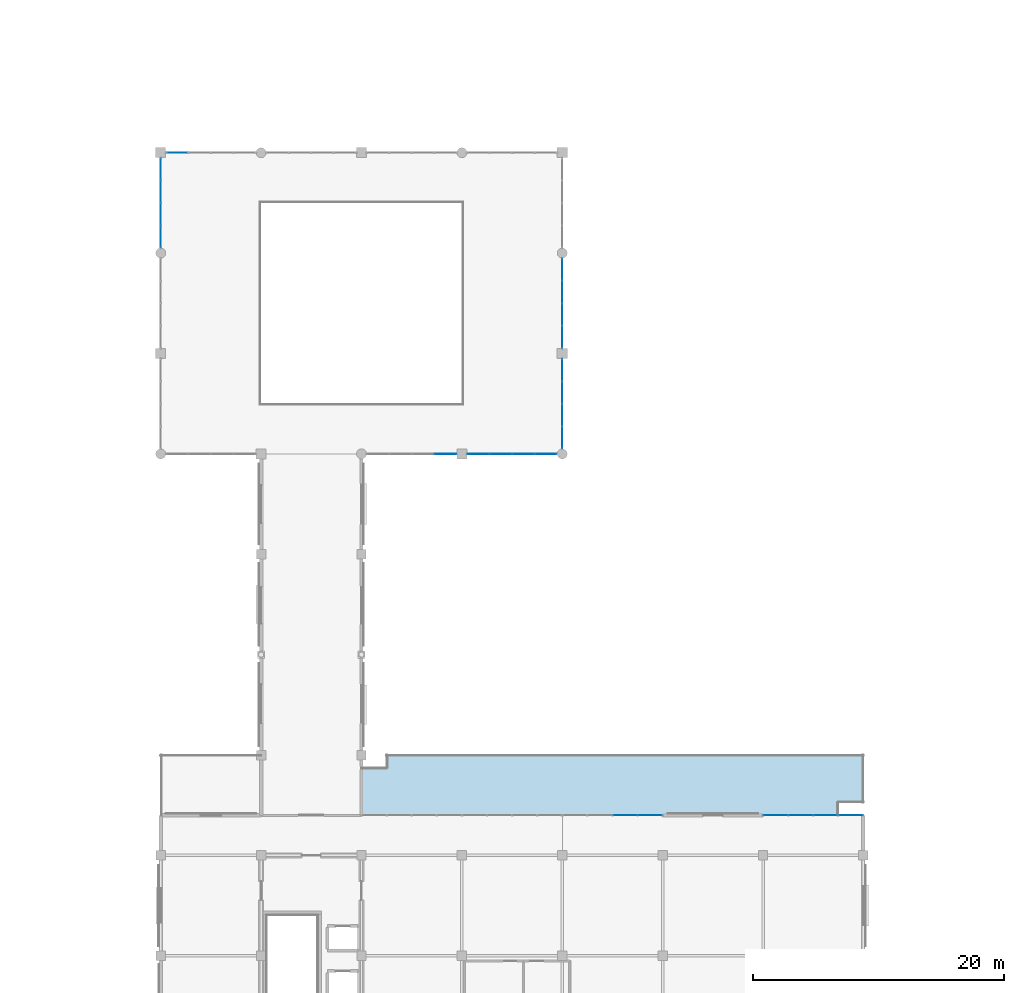
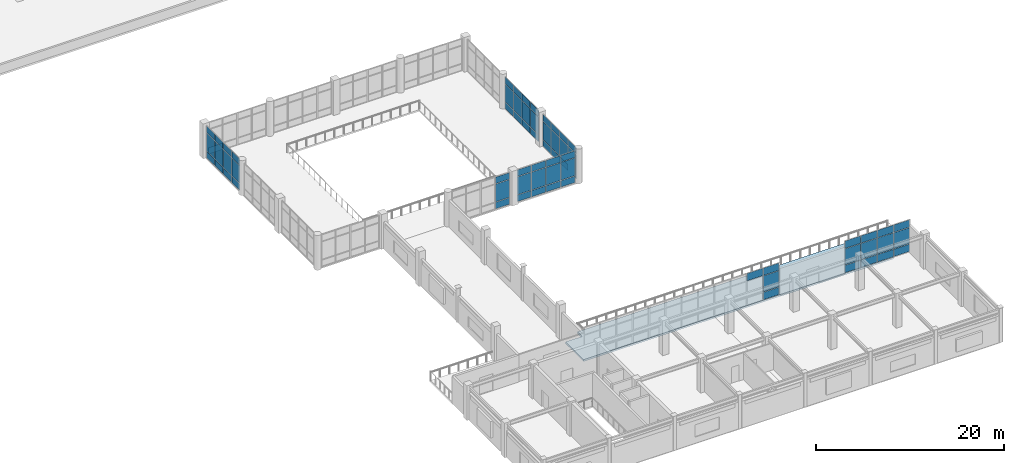
# One storey, part 28 of 42: 68 plates, 1 slab, 8 elements without a shape of their own.
"""IFC4 building model written with IfcOpenShell, lengths in metres."""

import ifcopenshell
import ifcopenshell.guid

model = None  # the IFC model being written
_history = None  # IfcOwnerHistory: only IFC2X3 demands one
_inside = {}  # id of a spatial element -> (the spatial element, [elements in it])
_under = {}  # id of a project, library or spatial element -> (it, [spatial elements below it])
_declared = {}  # id of a project -> (the project, [libraries it declares])
_typed = {}  # id of a type object -> (the type object, [elements of that type])
_made_of = {}  # id of a material, layer set ... -> (it, [elements and type objects made of it])


def new_model(schema):
    """Start an empty IFC model of exactly this schema.

    Asked for "IFC4X3", IfcOpenShell would pick the latest addendum, in which some entities
    have other attributes; the version numbers below select the first issue.
    IFC2X3 requires an IfcOwnerHistory on every rooted entity: one is made here for all.
    """
    global model, _history
    if schema == "IFC4X3":
        model = ifcopenshell.file(schema_version=(4, 3, 0, 0))
    else:
        model = ifcopenshell.file(schema=schema)
    _inside.clear()
    _under.clear()
    _declared.clear()
    _typed.clear()
    _made_of.clear()
    _history = None
    if model.schema == "IFC2X3":
        org = make("IfcOrganization", Name="unknown")
        user = make(
            "IfcPersonAndOrganization",
            ThePerson=make("IfcPerson", FamilyName="unknown"),
            TheOrganization=org,
        )
        app = make(
            "IfcApplication",
            ApplicationDeveloper=org,
            Version="unknown",
            ApplicationFullName="unknown",
            ApplicationIdentifier="unknown",
        )
        _history = make(
            "IfcOwnerHistory",
            OwningUser=user,
            OwningApplication=app,
            ChangeAction="ADDED",
            CreationDate=0,
        )
    return model


def make(cls, **values):
    """One entity of the class cls with the attributes given. An attribute that is None is left unset."""
    return model.create_entity(
        cls, **{name: value for name, value in values.items() if value is not None}
    )


def rooted(cls, **values):
    """An entity with a GlobalId (a new one), such as an element, a storey or a relation."""
    return make(cls, GlobalId=ifcopenshell.guid.new(), OwnerHistory=_history, **values)


def si_unit(unit_type, name, prefix=None):
    """IfcSIUnit, for example si_unit("LENGTHUNIT", "METRE", prefix="MILLI")."""
    return make("IfcSIUnit", UnitType=unit_type, Prefix=prefix, Name=name)


def assignment(units):
    """IfcUnitAssignment: the units of a project."""
    return None if units is None else make("IfcUnitAssignment", Units=units)


def point(xyz):
    """IfcCartesianPoint."""
    return None if xyz is None else make("IfcCartesianPoint", Coordinates=xyz)


def direction(xyz):
    """IfcDirection."""
    return None if xyz is None else make("IfcDirection", DirectionRatios=xyz)


def frame(location, z_axis=None, x_axis=None):
    """IfcAxis2Placement3D, a coordinate frame: its origin and axes. An axis left out is left unset."""
    return make(
        "IfcAxis2Placement3D",
        Location=point(location),
        Axis=direction(z_axis),
        RefDirection=direction(x_axis),
    )


def frame_2d(location, x_axis=None):
    """IfcAxis2Placement2D, a coordinate frame in the plane: its origin and x axis."""
    return make(
        "IfcAxis2Placement2D", Location=point(location), RefDirection=direction(x_axis)
    )


def origin():
    """The frame at (0, 0, 0) with its axes left unset."""
    return frame((0.0, 0.0, 0.0))


def origin_2d():
    """The frame at (0, 0) in the plane with its x axis left unset."""
    return frame_2d((0.0, 0.0))


def place(relative_to, where):
    """IfcLocalPlacement: puts the frame where relative to a parent placement (None: the world)."""
    return make(
        "IfcLocalPlacement", PlacementRelTo=relative_to, RelativePlacement=where
    )


def context(
    kind, dimensions, precision=None, world=None, true_north=None, identifier=None
):
    """IfcGeometricRepresentationContext, for example the 3D "Model" context."""
    return make(
        "IfcGeometricRepresentationContext",
        ContextIdentifier=identifier,
        ContextType=kind,
        CoordinateSpaceDimension=dimensions,
        Precision=precision,
        WorldCoordinateSystem=world,
        TrueNorth=true_north,
    )


def subcontext(parent, identifier, kind, view, scale=None):
    """IfcGeometricRepresentationSubContext, for example "Body" below "Model"."""
    return make(
        "IfcGeometricRepresentationSubContext",
        ContextIdentifier=identifier,
        ContextType=kind,
        ParentContext=parent,
        TargetScale=scale,
        TargetView=view,
    )


def project(units=None, contexts=None):
    """IfcProject with its units and contexts."""
    return rooted(
        "IfcProject",
        Name="project",
        RepresentationContexts=contexts,
        UnitsInContext=assignment(units),
    )


def spatial(cls, under=None, at=None, **own):
    """A site, building, storey or space (cls), placed at a placement, below another one or the project."""
    s = rooted(cls, ObjectPlacement=at, **own)
    if under is not None:
        _under.setdefault(under.id(), (under, []))[1].append(s)
    return s


def polyline(points):
    """IfcPolyline through the points."""
    return make("IfcPolyline", Points=[point(p) for p in points])


def profile(cls, at=None, kind="AREA", **sizes):
    """A parametric profile (cls). Its sizes go by their IFC names, for example OverallWidth=200.0."""
    return make(cls, ProfileType=kind, Position=at, **sizes)


def rectangle(**sizes):
    """IfcRectangleProfileDef."""
    return profile("IfcRectangleProfileDef", **sizes)


def outline(outer, holes=None, kind="AREA"):
    """IfcArbitraryClosedProfileDef: a profile drawn as a closed curve; with holes, ...WithVoids."""
    if holes is None:
        return make("IfcArbitraryClosedProfileDef", ProfileType=kind, OuterCurve=outer)
    return make(
        "IfcArbitraryProfileDefWithVoids",
        ProfileType=kind,
        OuterCurve=outer,
        InnerCurves=holes,
    )


def extrude(swept, where, along, depth):
    """IfcExtrudedAreaSolid: the profile swept, set in the frame where, extruded along a direction by depth."""
    return make(
        "IfcExtrudedAreaSolid",
        SweptArea=swept,
        Position=where,
        ExtrudedDirection=direction(along),
        Depth=depth,
    )


def shape(context_of_items, identifier, shape_type, items):
    """IfcShapeRepresentation: the items that make up one representation, for example the "Body"."""
    return make(
        "IfcShapeRepresentation",
        ContextOfItems=context_of_items,
        RepresentationIdentifier=identifier,
        RepresentationType=shape_type,
        Items=items,
    )


def material(Name=None, Category=None):
    """IfcMaterial."""
    return make("IfcMaterial", Name=Name, Category=Category)


def layer(
    of_material, thickness, ventilated=None, Name=None, Category=None, Priority=None
):
    """IfcMaterialLayer: one layer of a wall or slab, of a material (None: an air gap)."""
    return make(
        "IfcMaterialLayer",
        Material=of_material,
        LayerThickness=thickness,
        IsVentilated=ventilated,
        Name=Name,
        Category=Category,
        Priority=Priority,
    )


def layer_set(layers, Name=None):
    """IfcMaterialLayerSet."""
    return make("IfcMaterialLayerSet", MaterialLayers=layers, LayerSetName=Name)


def made_of(thing, what):
    """Note that an element or type object is made of a material, layer set ...; save() writes the relation."""
    if what is not None:
        _made_of.setdefault(what.id(), (what, []))[1].append(thing)
    return thing


def type_object(cls, material=None, **own):
    """A type object (cls), such as IfcWallType, which elements share."""
    return made_of(rooted(cls, **own), material)


def element(
    cls,
    number,
    at=None,
    inside=None,
    cuts=None,
    type_object=None,
    material=None,
    context=None,
    identifier="Body",
    shape_type=None,
    held_by="IfcProductDefinitionShape",
    body=None,
    shapes=None,
    **own,
):
    """One element of the class cls, such as IfcWall. Its Tag is "e" and its number.

    at: its placement. inside: the storey or other place that contains it. cuts: it is an
    opening in that element (IfcRelVoidsElement). A single representation is given by context,
    identifier, shape_type and body (its items); several are given by shapes. held_by: the class
    of the entity that holds the representations. save() writes the other relations.
    """
    e = rooted(cls, Tag="e%d" % number, ObjectPlacement=at, **own)
    if body is not None:
        shapes = [shape(context, identifier, shape_type, body)]
    if shapes is not None:
        e.Representation = make(held_by, Representations=shapes)
    if inside is not None:
        _inside.setdefault(inside.id(), (inside, []))[1].append(e)
    if cuts is not None:
        rooted(
            "IfcRelVoidsElement", RelatingBuildingElement=cuts, RelatedOpeningElement=e
        )
    if type_object is not None:
        _typed.setdefault(type_object.id(), (type_object, []))[1].append(e)
    return made_of(e, material)


def aggregate(whole, parts):
    """IfcRelAggregates: a whole, such as a stair, and the parts it consists of."""
    return rooted("IfcRelAggregates", RelatingObject=whole, RelatedObjects=parts)


def save(model, path):
    """Write the relations noted so far, then the file.

    IfcRelAggregates (storeys below a building ...), IfcRelContainedInSpatialStructure (elements
    in a storey), IfcRelDefinesByType, IfcRelAssociatesMaterial and IfcRelDeclares: one each for
    every whole, place, type object, material and project.
    """
    for whole, parts in _under.values():
        aggregate(whole, parts)
    for where, things in _inside.values():
        rooted(
            "IfcRelContainedInSpatialStructure",
            RelatedElements=things,
            RelatingStructure=where,
        )
    for kind, things in _typed.values():
        rooted("IfcRelDefinesByType", RelatedObjects=things, RelatingType=kind)
    for what, things in _made_of.values():
        rooted("IfcRelAssociatesMaterial", RelatedObjects=things, RelatingMaterial=what)
    for by, libraries in _declared.values():
        rooted("IfcRelDeclares", RelatingContext=by, RelatedDefinitions=libraries)
    model.write(path)


model = new_model("IFC4")

# Units and contexts
model_context = context("Model", 3, precision=1e-05, world=origin(), true_north=direction((0.0, 1.0)))
body_context = subcontext(model_context, "Body", "Model", "MODEL_VIEW")
ifc_project = project(units=[si_unit("LENGTHUNIT", "METRE"), si_unit("AREAUNIT", "SQUARE_METRE"), si_unit("VOLUMEUNIT", "CUBIC_METRE"), si_unit("PLANEANGLEUNIT", "RADIAN"), si_unit("MASSUNIT", "GRAM", prefix="KILO")], contexts=[model_context])

# Site, building, storey
site_placement = place(None, origin())
site = spatial("IfcSite", under=ifc_project, at=site_placement, CompositionType="ELEMENT")
building_placement = place(site_placement, origin())
building = spatial("IfcBuilding", under=site, at=building_placement, Name="Solmirada Galleria", CompositionType="ELEMENT")
storey_placement = place(building_placement, frame((0.0, 0.0, 28.39990234375)))
storey = spatial("IfcBuildingStorey", under=building, at=storey_placement, Name="L06", CompositionType="ELEMENT", Elevation=28.39990234375)

# Curtain wall, plates
ifc_material_1 = material(Name="Impact-resistant low-E double glazing", Category="glass")
curtain_wall_type_1 = type_object("IfcCurtainWallType", Name="CW-FZ3-L06-B4-L072", PredefinedType="NOTDEFINED", material=ifc_material_1)
curtain_wall_1_placement = place(storey_placement, origin())
curtain_wall_1 = element("IfcCurtainWall", 1, at=curtain_wall_1_placement, inside=storey, type_object=curtain_wall_type_1, Name="Terrace and arcade storefront CW-L06-188", PredefinedType="NOTDEFINED")
ifc_layer_1 = layer(ifc_material_1, 0.02392578125)
ifc_layer_set_1 = layer_set([ifc_layer_1], Name="Impact-resistant low-E double glazing")
plate_type_1 = type_object("IfcPlateType", Name="CW-PNL-CW38-T24", PredefinedType="CURTAIN_PANEL", material=ifc_layer_set_1)
plate_1_placement = place(storey_placement, frame((80.0, 65.31640625, 0.06005859375), z_axis=(0.0, 0.0, 1.0), x_axis=(0.0, 1.0, 0.0)))
plate_1 = element("IfcPlate", 2, at=plate_1_placement, type_object=plate_type_1, Name="CW38 panel 1.1", PredefinedType="CURTAIN_PANEL", context=body_context, shape_type="SweptSolid", body=[
    extrude(rectangle(XDim=1.708984375, YDim=0.02392578125, at=origin_2d()), origin(), (0.0, 0.0, 1.0), 0.830078125),
])
plate_2_placement = place(storey_placement, frame((80.0, 65.31640625, 0.9501953125), z_axis=(0.0, 0.0, 1.0), x_axis=(0.0, 1.0, 0.0)))
plate_2 = element("IfcPlate", 3, at=plate_2_placement, type_object=plate_type_1, Name="CW38 panel 1.2", PredefinedType="CURTAIN_PANEL", context=body_context, shape_type="SweptSolid", body=[
    extrude(rectangle(XDim=1.708984375, YDim=0.02392578125, at=origin_2d()), origin(), (0.0, 0.0, 1.0), 2.300048828125),
])
plate_3_placement = place(storey_placement, frame((80.0, 65.31640625, 3.31005859375), z_axis=(0.0, 0.0, 1.0), x_axis=(0.0, 1.0, 0.0)))
plate_3 = element("IfcPlate", 4, at=plate_3_placement, type_object=plate_type_1, Name="CW38 panel 1.3", PredefinedType="CURTAIN_PANEL", context=body_context, shape_type="SweptSolid", body=[
    extrude(rectangle(XDim=1.708984375, YDim=0.02392578125, at=origin_2d()), origin(), (0.0, 0.0, 1.0), 0.85009765625),
])
plate_4_placement = place(storey_placement, frame((80.0, 67.1005859375, 0.06005859375), z_axis=(0.0, 0.0, 1.0), x_axis=(0.0, 1.0, 0.0)))
plate_4 = element("IfcPlate", 5, at=plate_4_placement, type_object=plate_type_1, Name="CW38 panel 2.1", PredefinedType="CURTAIN_PANEL", context=body_context, shape_type="SweptSolid", body=[
    extrude(rectangle(XDim=1.739013671875, YDim=0.02392578125, at=origin_2d()), origin(), (0.0, 0.0, 1.0), 0.830078125),
])
plate_5_placement = place(storey_placement, frame((80.0, 67.1005859375, 0.9501953125), z_axis=(0.0, 0.0, 1.0), x_axis=(0.0, 1.0, 0.0)))
plate_5 = element("IfcPlate", 6, at=plate_5_placement, type_object=plate_type_1, Name="CW38 panel 2.2", PredefinedType="CURTAIN_PANEL", context=body_context, shape_type="SweptSolid", body=[
    extrude(rectangle(XDim=1.739013671875, YDim=0.02392578125, at=origin_2d()), origin(), (0.0, 0.0, 1.0), 2.300048828125),
])
plate_6_placement = place(storey_placement, frame((80.0, 67.1005859375, 3.31005859375), z_axis=(0.0, 0.0, 1.0), x_axis=(0.0, 1.0, 0.0)))
plate_6 = element("IfcPlate", 7, at=plate_6_placement, type_object=plate_type_1, Name="CW38 panel 2.3", PredefinedType="CURTAIN_PANEL", context=body_context, shape_type="SweptSolid", body=[
    extrude(rectangle(XDim=1.739013671875, YDim=0.02392578125, at=origin_2d()), origin(), (0.0, 0.0, 1.0), 0.85009765625),
])
plate_7_placement = place(storey_placement, frame((80.0, 68.8994140625, 0.06005859375), z_axis=(0.0, 0.0, 1.0), x_axis=(0.0, 1.0, 0.0)))
plate_7 = element("IfcPlate", 8, at=plate_7_placement, type_object=plate_type_1, Name="CW38 panel 3.1", PredefinedType="CURTAIN_PANEL", context=body_context, shape_type="SweptSolid", body=[
    extrude(rectangle(XDim=1.739013671875, YDim=0.02392578125, at=origin_2d()), origin(), (0.0, 0.0, 1.0), 0.830078125),
])
plate_8_placement = place(storey_placement, frame((80.0, 68.8994140625, 0.9501953125), z_axis=(0.0, 0.0, 1.0), x_axis=(0.0, 1.0, 0.0)))
plate_8 = element("IfcPlate", 9, at=plate_8_placement, type_object=plate_type_1, Name="CW38 panel 3.2", PredefinedType="CURTAIN_PANEL", context=body_context, shape_type="SweptSolid", body=[
    extrude(rectangle(XDim=1.739013671875, YDim=0.02392578125, at=origin_2d()), origin(), (0.0, 0.0, 1.0), 2.300048828125),
])
plate_9_placement = place(storey_placement, frame((80.0, 68.8994140625, 3.31005859375), z_axis=(0.0, 0.0, 1.0), x_axis=(0.0, 1.0, 0.0)))
plate_9 = element("IfcPlate", 10, at=plate_9_placement, type_object=plate_type_1, Name="CW38 panel 3.3", PredefinedType="CURTAIN_PANEL", context=body_context, shape_type="SweptSolid", body=[
    extrude(rectangle(XDim=1.739013671875, YDim=0.02392578125, at=origin_2d()), origin(), (0.0, 0.0, 1.0), 0.85009765625),
])
plate_10_placement = place(storey_placement, frame((80.0, 70.68359375, 0.06005859375), z_axis=(0.0, 0.0, 1.0), x_axis=(0.0, 1.0, 0.0)))
plate_10 = element("IfcPlate", 11, at=plate_10_placement, type_object=plate_type_1, Name="CW38 panel 4.1", PredefinedType="CURTAIN_PANEL", context=body_context, shape_type="SweptSolid", body=[
    extrude(rectangle(XDim=1.708984375, YDim=0.02392578125, at=origin_2d()), origin(), (0.0, 0.0, 1.0), 0.830078125),
])
plate_11_placement = place(storey_placement, frame((80.0, 70.68359375, 0.9501953125), z_axis=(0.0, 0.0, 1.0), x_axis=(0.0, 1.0, 0.0)))
plate_11 = element("IfcPlate", 12, at=plate_11_placement, type_object=plate_type_1, Name="CW38 panel 4.2", PredefinedType="CURTAIN_PANEL", context=body_context, shape_type="SweptSolid", body=[
    extrude(rectangle(XDim=1.708984375, YDim=0.02392578125, at=origin_2d()), origin(), (0.0, 0.0, 1.0), 2.300048828125),
])
plate_12_placement = place(storey_placement, frame((80.0, 70.68359375, 3.31005859375), z_axis=(0.0, 0.0, 1.0), x_axis=(0.0, 1.0, 0.0)))
plate_12 = element("IfcPlate", 13, at=plate_12_placement, type_object=plate_type_1, Name="CW38 panel 4.3", PredefinedType="CURTAIN_PANEL", context=body_context, shape_type="SweptSolid", body=[
    extrude(rectangle(XDim=1.708984375, YDim=0.02392578125, at=origin_2d()), origin(), (0.0, 0.0, 1.0), 0.85009765625),
])
aggregate(curtain_wall_1, [plate_1, plate_2, plate_3, plate_4, plate_5, plate_6, plate_7, plate_8, plate_9, plate_10, plate_11, plate_12])

# Curtain wall, plate
curtain_wall_2_placement = place(storey_placement, origin())
curtain_wall_2 = element("IfcCurtainWall", 14, at=curtain_wall_2_placement, inside=storey, type_object=curtain_wall_type_1, Name="Terrace and arcade storefront CW-L06-189", PredefinedType="NOTDEFINED")
plate_13_placement = place(storey_placement, frame((81.31640625, 72.0, 0.06005859375), z_axis=(0.0, 0.0, 1.0), x_axis=(1.0, 0.0, 0.0)))
plate_13 = element("IfcPlate", 15, at=plate_13_placement, type_object=plate_type_1, Name="CW38 panel 1.1", PredefinedType="CURTAIN_PANEL", context=body_context, shape_type="SweptSolid", body=[
    extrude(rectangle(XDim=1.708984375, YDim=0.02392578125, at=origin_2d()), origin(), (0.0, 0.0, 1.0), 0.830078125),
])
aggregate(curtain_wall_2, [plate_13])

# Curtain wall, plates
curtain_wall_3_placement = place(storey_placement, origin())
curtain_wall_3 = element("IfcCurtainWall", 16, at=curtain_wall_3_placement, inside=storey, type_object=curtain_wall_type_1, Name="Terrace and arcade storefront CW-L06-194", PredefinedType="NOTDEFINED")
plate_14_placement = place(storey_placement, frame((112.0, 62.68359375, 0.06005859375), z_axis=(0.0, 0.0, 1.0), x_axis=(0.0, -1.0, 0.0)))
plate_14 = element("IfcPlate", 17, at=plate_14_placement, type_object=plate_type_1, Name="CW38 panel 1.1", PredefinedType="CURTAIN_PANEL", context=body_context, shape_type="SweptSolid", body=[
    extrude(rectangle(XDim=1.708984375, YDim=0.02392578125, at=origin_2d()), origin(), (0.0, 0.0, 1.0), 0.830078125),
])
plate_15_placement = place(storey_placement, frame((112.0, 62.68359375, 0.9501953125), z_axis=(0.0, 0.0, 1.0), x_axis=(0.0, -1.0, 0.0)))
plate_15 = element("IfcPlate", 18, at=plate_15_placement, type_object=plate_type_1, Name="CW38 panel 1.2", PredefinedType="CURTAIN_PANEL", context=body_context, shape_type="SweptSolid", body=[
    extrude(rectangle(XDim=1.708984375, YDim=0.02392578125, at=origin_2d()), origin(), (0.0, 0.0, 1.0), 2.300048828125),
])
plate_16_placement = place(storey_placement, frame((112.0, 62.68359375, 3.31005859375), z_axis=(0.0, 0.0, 1.0), x_axis=(0.0, -1.0, 0.0)))
plate_16 = element("IfcPlate", 19, at=plate_16_placement, type_object=plate_type_1, Name="CW38 panel 1.3", PredefinedType="CURTAIN_PANEL", context=body_context, shape_type="SweptSolid", body=[
    extrude(rectangle(XDim=1.708984375, YDim=0.02392578125, at=origin_2d()), origin(), (0.0, 0.0, 1.0), 0.85009765625),
])
plate_17_placement = place(storey_placement, frame((112.0, 60.8994140625, 0.06005859375), z_axis=(0.0, 0.0, 1.0), x_axis=(0.0, -1.0, 0.0)))
plate_17 = element("IfcPlate", 20, at=plate_17_placement, type_object=plate_type_1, Name="CW38 panel 2.1", PredefinedType="CURTAIN_PANEL", context=body_context, shape_type="SweptSolid", body=[
    extrude(rectangle(XDim=1.739013671875, YDim=0.02392578125, at=origin_2d()), origin(), (0.0, 0.0, 1.0), 0.830078125),
])
plate_18_placement = place(storey_placement, frame((112.0, 60.8994140625, 0.9501953125), z_axis=(0.0, 0.0, 1.0), x_axis=(0.0, -1.0, 0.0)))
plate_18 = element("IfcPlate", 21, at=plate_18_placement, type_object=plate_type_1, Name="CW38 panel 2.2", PredefinedType="CURTAIN_PANEL", context=body_context, shape_type="SweptSolid", body=[
    extrude(rectangle(XDim=1.739013671875, YDim=0.02392578125, at=origin_2d()), origin(), (0.0, 0.0, 1.0), 2.300048828125),
])
plate_19_placement = place(storey_placement, frame((112.0, 60.8994140625, 3.31005859375), z_axis=(0.0, 0.0, 1.0), x_axis=(0.0, -1.0, 0.0)))
plate_19 = element("IfcPlate", 22, at=plate_19_placement, type_object=plate_type_1, Name="CW38 panel 2.3", PredefinedType="CURTAIN_PANEL", context=body_context, shape_type="SweptSolid", body=[
    extrude(rectangle(XDim=1.739013671875, YDim=0.02392578125, at=origin_2d()), origin(), (0.0, 0.0, 1.0), 0.85009765625),
])
plate_20_placement = place(storey_placement, frame((112.0, 59.1005859375, 0.06005859375), z_axis=(0.0, 0.0, 1.0), x_axis=(0.0, -1.0, 0.0)))
plate_20 = element("IfcPlate", 23, at=plate_20_placement, type_object=plate_type_1, Name="CW38 panel 3.1", PredefinedType="CURTAIN_PANEL", context=body_context, shape_type="SweptSolid", body=[
    extrude(rectangle(XDim=1.739013671875, YDim=0.02392578125, at=origin_2d()), origin(), (0.0, 0.0, 1.0), 0.830078125),
])
plate_21_placement = place(storey_placement, frame((112.0, 59.1005859375, 0.9501953125), z_axis=(0.0, 0.0, 1.0), x_axis=(0.0, -1.0, 0.0)))
plate_21 = element("IfcPlate", 24, at=plate_21_placement, type_object=plate_type_1, Name="CW38 panel 3.2", PredefinedType="CURTAIN_PANEL", context=body_context, shape_type="SweptSolid", body=[
    extrude(rectangle(XDim=1.739013671875, YDim=0.02392578125, at=origin_2d()), origin(), (0.0, 0.0, 1.0), 2.300048828125),
])
plate_22_placement = place(storey_placement, frame((112.0, 59.1005859375, 3.31005859375), z_axis=(0.0, 0.0, 1.0), x_axis=(0.0, -1.0, 0.0)))
plate_22 = element("IfcPlate", 25, at=plate_22_placement, type_object=plate_type_1, Name="CW38 panel 3.3", PredefinedType="CURTAIN_PANEL", context=body_context, shape_type="SweptSolid", body=[
    extrude(rectangle(XDim=1.739013671875, YDim=0.02392578125, at=origin_2d()), origin(), (0.0, 0.0, 1.0), 0.85009765625),
])
plate_23_placement = place(storey_placement, frame((112.0, 57.31640625, 0.06005859375), z_axis=(0.0, 0.0, 1.0), x_axis=(0.0, -1.0, 0.0)))
plate_23 = element("IfcPlate", 26, at=plate_23_placement, type_object=plate_type_1, Name="CW38 panel 4.1", PredefinedType="CURTAIN_PANEL", context=body_context, shape_type="SweptSolid", body=[
    extrude(rectangle(XDim=1.708984375, YDim=0.02392578125, at=origin_2d()), origin(), (0.0, 0.0, 1.0), 0.830078125),
])
plate_24_placement = place(storey_placement, frame((112.0, 57.31640625, 0.9501953125), z_axis=(0.0, 0.0, 1.0), x_axis=(0.0, -1.0, 0.0)))
plate_24 = element("IfcPlate", 27, at=plate_24_placement, type_object=plate_type_1, Name="CW38 panel 4.2", PredefinedType="CURTAIN_PANEL", context=body_context, shape_type="SweptSolid", body=[
    extrude(rectangle(XDim=1.708984375, YDim=0.02392578125, at=origin_2d()), origin(), (0.0, 0.0, 1.0), 2.300048828125),
])
plate_25_placement = place(storey_placement, frame((112.0, 57.31640625, 3.31005859375), z_axis=(0.0, 0.0, 1.0), x_axis=(0.0, -1.0, 0.0)))
plate_25 = element("IfcPlate", 28, at=plate_25_placement, type_object=plate_type_1, Name="CW38 panel 4.3", PredefinedType="CURTAIN_PANEL", context=body_context, shape_type="SweptSolid", body=[
    extrude(rectangle(XDim=1.708984375, YDim=0.02392578125, at=origin_2d()), origin(), (0.0, 0.0, 1.0), 0.85009765625),
])
aggregate(curtain_wall_3, [plate_14, plate_15, plate_16, plate_17, plate_18, plate_19, plate_20, plate_21, plate_22, plate_23, plate_24, plate_25])

curtain_wall_4_placement = place(storey_placement, origin())
curtain_wall_4 = element("IfcCurtainWall", 29, at=curtain_wall_4_placement, inside=storey, type_object=curtain_wall_type_1, Name="Terrace and arcade storefront CW-L06-195", PredefinedType="NOTDEFINED")
plate_26_placement = place(storey_placement, frame((112.0, 54.68359375, 0.06005859375), z_axis=(0.0, 0.0, 1.0), x_axis=(0.0, -1.0, 0.0)))
plate_26 = element("IfcPlate", 30, at=plate_26_placement, type_object=plate_type_1, Name="CW38 panel 1.1", PredefinedType="CURTAIN_PANEL", context=body_context, shape_type="SweptSolid", body=[
    extrude(rectangle(XDim=1.708984375, YDim=0.02392578125, at=origin_2d()), origin(), (0.0, 0.0, 1.0), 0.830078125),
])
plate_27_placement = place(storey_placement, frame((112.0, 54.68359375, 0.9501953125), z_axis=(0.0, 0.0, 1.0), x_axis=(0.0, -1.0, 0.0)))
plate_27 = element("IfcPlate", 31, at=plate_27_placement, type_object=plate_type_1, Name="CW38 panel 1.2", PredefinedType="CURTAIN_PANEL", context=body_context, shape_type="SweptSolid", body=[
    extrude(rectangle(XDim=1.708984375, YDim=0.02392578125, at=origin_2d()), origin(), (0.0, 0.0, 1.0), 2.300048828125),
])
plate_28_placement = place(storey_placement, frame((112.0, 54.68359375, 3.31005859375), z_axis=(0.0, 0.0, 1.0), x_axis=(0.0, -1.0, 0.0)))
plate_28 = element("IfcPlate", 32, at=plate_28_placement, type_object=plate_type_1, Name="CW38 panel 1.3", PredefinedType="CURTAIN_PANEL", context=body_context, shape_type="SweptSolid", body=[
    extrude(rectangle(XDim=1.708984375, YDim=0.02392578125, at=origin_2d()), origin(), (0.0, 0.0, 1.0), 0.85009765625),
])
plate_29_placement = place(storey_placement, frame((112.0, 52.8994140625, 0.06005859375), z_axis=(0.0, 0.0, 1.0), x_axis=(0.0, -1.0, 0.0)))
plate_29 = element("IfcPlate", 33, at=plate_29_placement, type_object=plate_type_1, Name="CW38 panel 2.1", PredefinedType="CURTAIN_PANEL", context=body_context, shape_type="SweptSolid", body=[
    extrude(rectangle(XDim=1.739013671875, YDim=0.02392578125, at=origin_2d()), origin(), (0.0, 0.0, 1.0), 0.830078125),
])
plate_30_placement = place(storey_placement, frame((112.0, 52.8994140625, 0.9501953125), z_axis=(0.0, 0.0, 1.0), x_axis=(0.0, -1.0, 0.0)))
plate_30 = element("IfcPlate", 34, at=plate_30_placement, type_object=plate_type_1, Name="CW38 panel 2.2", PredefinedType="CURTAIN_PANEL", context=body_context, shape_type="SweptSolid", body=[
    extrude(rectangle(XDim=1.739013671875, YDim=0.02392578125, at=origin_2d()), origin(), (0.0, 0.0, 1.0), 2.300048828125),
])
plate_31_placement = place(storey_placement, frame((112.0, 52.8994140625, 3.31005859375), z_axis=(0.0, 0.0, 1.0), x_axis=(0.0, -1.0, 0.0)))
plate_31 = element("IfcPlate", 35, at=plate_31_placement, type_object=plate_type_1, Name="CW38 panel 2.3", PredefinedType="CURTAIN_PANEL", context=body_context, shape_type="SweptSolid", body=[
    extrude(rectangle(XDim=1.739013671875, YDim=0.02392578125, at=origin_2d()), origin(), (0.0, 0.0, 1.0), 0.85009765625),
])
plate_32_placement = place(storey_placement, frame((112.0, 51.1005859375, 0.06005859375), z_axis=(0.0, 0.0, 1.0), x_axis=(0.0, -1.0, 0.0)))
plate_32 = element("IfcPlate", 36, at=plate_32_placement, type_object=plate_type_1, Name="CW38 panel 3.1", PredefinedType="CURTAIN_PANEL", context=body_context, shape_type="SweptSolid", body=[
    extrude(rectangle(XDim=1.739013671875, YDim=0.02392578125, at=origin_2d()), origin(), (0.0, 0.0, 1.0), 0.830078125),
])
plate_33_placement = place(storey_placement, frame((112.0, 51.1005859375, 0.9501953125), z_axis=(0.0, 0.0, 1.0), x_axis=(0.0, -1.0, 0.0)))
plate_33 = element("IfcPlate", 37, at=plate_33_placement, type_object=plate_type_1, Name="CW38 panel 3.2", PredefinedType="CURTAIN_PANEL", context=body_context, shape_type="SweptSolid", body=[
    extrude(rectangle(XDim=1.739013671875, YDim=0.02392578125, at=origin_2d()), origin(), (0.0, 0.0, 1.0), 2.300048828125),
])
plate_34_placement = place(storey_placement, frame((112.0, 51.1005859375, 3.31005859375), z_axis=(0.0, 0.0, 1.0), x_axis=(0.0, -1.0, 0.0)))
plate_34 = element("IfcPlate", 38, at=plate_34_placement, type_object=plate_type_1, Name="CW38 panel 3.3", PredefinedType="CURTAIN_PANEL", context=body_context, shape_type="SweptSolid", body=[
    extrude(rectangle(XDim=1.739013671875, YDim=0.02392578125, at=origin_2d()), origin(), (0.0, 0.0, 1.0), 0.85009765625),
])
plate_35_placement = place(storey_placement, frame((112.0, 49.31640625, 0.06005859375), z_axis=(0.0, 0.0, 1.0), x_axis=(0.0, -1.0, 0.0)))
plate_35 = element("IfcPlate", 39, at=plate_35_placement, type_object=plate_type_1, Name="CW38 panel 4.1", PredefinedType="CURTAIN_PANEL", context=body_context, shape_type="SweptSolid", body=[
    extrude(rectangle(XDim=1.708984375, YDim=0.02392578125, at=origin_2d()), origin(), (0.0, 0.0, 1.0), 0.830078125),
])
plate_36_placement = place(storey_placement, frame((112.0, 49.31640625, 0.9501953125), z_axis=(0.0, 0.0, 1.0), x_axis=(0.0, -1.0, 0.0)))
plate_36 = element("IfcPlate", 40, at=plate_36_placement, type_object=plate_type_1, Name="CW38 panel 4.2", PredefinedType="CURTAIN_PANEL", context=body_context, shape_type="SweptSolid", body=[
    extrude(rectangle(XDim=1.708984375, YDim=0.02392578125, at=origin_2d()), origin(), (0.0, 0.0, 1.0), 2.300048828125),
])
plate_37_placement = place(storey_placement, frame((112.0, 49.31640625, 3.31005859375), z_axis=(0.0, 0.0, 1.0), x_axis=(0.0, -1.0, 0.0)))
plate_37 = element("IfcPlate", 41, at=plate_37_placement, type_object=plate_type_1, Name="CW38 panel 4.3", PredefinedType="CURTAIN_PANEL", context=body_context, shape_type="SweptSolid", body=[
    extrude(rectangle(XDim=1.708984375, YDim=0.02392578125, at=origin_2d()), origin(), (0.0, 0.0, 1.0), 0.85009765625),
])
aggregate(curtain_wall_4, [plate_26, plate_27, plate_28, plate_29, plate_30, plate_31, plate_32, plate_33, plate_34, plate_35, plate_36, plate_37])

curtain_wall_5_placement = place(storey_placement, origin())
curtain_wall_5 = element("IfcCurtainWall", 42, at=curtain_wall_5_placement, inside=storey, type_object=curtain_wall_type_1, Name="Terrace and arcade storefront CW-L06-196", PredefinedType="NOTDEFINED")
plate_38_placement = place(storey_placement, frame((110.68359375, 48.0, 0.06005859375), z_axis=(0.0, 0.0, 1.0), x_axis=(-1.0, 0.0, 0.0)))
plate_38 = element("IfcPlate", 43, at=plate_38_placement, type_object=plate_type_1, Name="CW38 panel 1.1", PredefinedType="CURTAIN_PANEL", context=body_context, shape_type="SweptSolid", body=[
    extrude(rectangle(XDim=1.708984375, YDim=0.02392578125, at=origin_2d()), origin(), (0.0, 0.0, 1.0), 0.830078125),
])
plate_39_placement = place(storey_placement, frame((110.68359375, 48.0, 0.9501953125), z_axis=(0.0, 0.0, 1.0), x_axis=(-1.0, 0.0, 0.0)))
plate_39 = element("IfcPlate", 44, at=plate_39_placement, type_object=plate_type_1, Name="CW38 panel 1.2", PredefinedType="CURTAIN_PANEL", context=body_context, shape_type="SweptSolid", body=[
    extrude(rectangle(XDim=1.708984375, YDim=0.02392578125, at=origin_2d()), origin(), (0.0, 0.0, 1.0), 2.300048828125),
])
plate_40_placement = place(storey_placement, frame((110.68359375, 48.0, 3.31005859375), z_axis=(0.0, 0.0, 1.0), x_axis=(-1.0, 0.0, 0.0)))
plate_40 = element("IfcPlate", 45, at=plate_40_placement, type_object=plate_type_1, Name="CW38 panel 1.3", PredefinedType="CURTAIN_PANEL", context=body_context, shape_type="SweptSolid", body=[
    extrude(rectangle(XDim=1.708984375, YDim=0.02392578125, at=origin_2d()), origin(), (0.0, 0.0, 1.0), 0.85009765625),
])
plate_41_placement = place(storey_placement, frame((108.8994140625, 48.0, 0.06005859375), z_axis=(0.0, 0.0, 1.0), x_axis=(-1.0, 0.0, 0.0)))
plate_41 = element("IfcPlate", 46, at=plate_41_placement, type_object=plate_type_1, Name="CW38 panel 2.1", PredefinedType="CURTAIN_PANEL", context=body_context, shape_type="SweptSolid", body=[
    extrude(rectangle(XDim=1.739013671875, YDim=0.02392578125, at=origin_2d()), origin(), (0.0, 0.0, 1.0), 0.830078125),
])
plate_42_placement = place(storey_placement, frame((108.8994140625, 48.0, 0.9501953125), z_axis=(0.0, 0.0, 1.0), x_axis=(-1.0, 0.0, 0.0)))
plate_42 = element("IfcPlate", 47, at=plate_42_placement, type_object=plate_type_1, Name="CW38 panel 2.2", PredefinedType="CURTAIN_PANEL", context=body_context, shape_type="SweptSolid", body=[
    extrude(rectangle(XDim=1.739013671875, YDim=0.02392578125, at=origin_2d()), origin(), (0.0, 0.0, 1.0), 2.300048828125),
])
plate_43_placement = place(storey_placement, frame((108.8994140625, 48.0, 3.31005859375), z_axis=(0.0, 0.0, 1.0), x_axis=(-1.0, 0.0, 0.0)))
plate_43 = element("IfcPlate", 48, at=plate_43_placement, type_object=plate_type_1, Name="CW38 panel 2.3", PredefinedType="CURTAIN_PANEL", context=body_context, shape_type="SweptSolid", body=[
    extrude(rectangle(XDim=1.739013671875, YDim=0.02392578125, at=origin_2d()), origin(), (0.0, 0.0, 1.0), 0.85009765625),
])
plate_44_placement = place(storey_placement, frame((107.1005859375, 48.0, 0.06005859375), z_axis=(0.0, 0.0, 1.0), x_axis=(-1.0, 0.0, 0.0)))
plate_44 = element("IfcPlate", 49, at=plate_44_placement, type_object=plate_type_1, Name="CW38 panel 3.1", PredefinedType="CURTAIN_PANEL", context=body_context, shape_type="SweptSolid", body=[
    extrude(rectangle(XDim=1.739013671875, YDim=0.02392578125, at=origin_2d()), origin(), (0.0, 0.0, 1.0), 0.830078125),
])
plate_45_placement = place(storey_placement, frame((107.1005859375, 48.0, 0.9501953125), z_axis=(0.0, 0.0, 1.0), x_axis=(-1.0, 0.0, 0.0)))
plate_45 = element("IfcPlate", 50, at=plate_45_placement, type_object=plate_type_1, Name="CW38 panel 3.2", PredefinedType="CURTAIN_PANEL", context=body_context, shape_type="SweptSolid", body=[
    extrude(rectangle(XDim=1.739013671875, YDim=0.02392578125, at=origin_2d()), origin(), (0.0, 0.0, 1.0), 2.300048828125),
])
plate_46_placement = place(storey_placement, frame((107.1005859375, 48.0, 3.31005859375), z_axis=(0.0, 0.0, 1.0), x_axis=(-1.0, 0.0, 0.0)))
plate_46 = element("IfcPlate", 51, at=plate_46_placement, type_object=plate_type_1, Name="CW38 panel 3.3", PredefinedType="CURTAIN_PANEL", context=body_context, shape_type="SweptSolid", body=[
    extrude(rectangle(XDim=1.739013671875, YDim=0.02392578125, at=origin_2d()), origin(), (0.0, 0.0, 1.0), 0.85009765625),
])
plate_47_placement = place(storey_placement, frame((105.31640625, 48.0, 0.06005859375), z_axis=(0.0, 0.0, 1.0), x_axis=(-1.0, 0.0, 0.0)))
plate_47 = element("IfcPlate", 52, at=plate_47_placement, type_object=plate_type_1, Name="CW38 panel 4.1", PredefinedType="CURTAIN_PANEL", context=body_context, shape_type="SweptSolid", body=[
    extrude(rectangle(XDim=1.708984375, YDim=0.02392578125, at=origin_2d()), origin(), (0.0, 0.0, 1.0), 0.830078125),
])
plate_48_placement = place(storey_placement, frame((105.31640625, 48.0, 0.9501953125), z_axis=(0.0, 0.0, 1.0), x_axis=(-1.0, 0.0, 0.0)))
plate_48 = element("IfcPlate", 53, at=plate_48_placement, type_object=plate_type_1, Name="CW38 panel 4.2", PredefinedType="CURTAIN_PANEL", context=body_context, shape_type="SweptSolid", body=[
    extrude(rectangle(XDim=1.708984375, YDim=0.02392578125, at=origin_2d()), origin(), (0.0, 0.0, 1.0), 2.300048828125),
])
plate_49_placement = place(storey_placement, frame((105.31640625, 48.0, 3.31005859375), z_axis=(0.0, 0.0, 1.0), x_axis=(-1.0, 0.0, 0.0)))
plate_49 = element("IfcPlate", 54, at=plate_49_placement, type_object=plate_type_1, Name="CW38 panel 4.3", PredefinedType="CURTAIN_PANEL", context=body_context, shape_type="SweptSolid", body=[
    extrude(rectangle(XDim=1.708984375, YDim=0.02392578125, at=origin_2d()), origin(), (0.0, 0.0, 1.0), 0.85009765625),
])
aggregate(curtain_wall_5, [plate_38, plate_39, plate_40, plate_41, plate_42, plate_43, plate_44, plate_45, plate_46, plate_47, plate_48, plate_49])

curtain_wall_6_placement = place(storey_placement, origin())
curtain_wall_6 = element("IfcCurtainWall", 55, at=curtain_wall_6_placement, inside=storey, type_object=curtain_wall_type_1, Name="Terrace and arcade storefront CW-L06-197", PredefinedType="NOTDEFINED")
plate_50_placement = place(storey_placement, frame((102.68359375, 48.0, 0.06005859375), z_axis=(0.0, 0.0, 1.0), x_axis=(-1.0, 0.0, 0.0)))
plate_50 = element("IfcPlate", 56, at=plate_50_placement, type_object=plate_type_1, Name="CW38 panel 1.1", PredefinedType="CURTAIN_PANEL", context=body_context, shape_type="SweptSolid", body=[
    extrude(rectangle(XDim=1.708984375, YDim=0.02392578125, at=origin_2d()), origin(), (0.0, 0.0, 1.0), 0.830078125),
])
plate_51_placement = place(storey_placement, frame((102.68359375, 48.0, 0.9501953125), z_axis=(0.0, 0.0, 1.0), x_axis=(-1.0, 0.0, 0.0)))
plate_51 = element("IfcPlate", 57, at=plate_51_placement, type_object=plate_type_1, Name="CW38 panel 1.2", PredefinedType="CURTAIN_PANEL", context=body_context, shape_type="SweptSolid", body=[
    extrude(rectangle(XDim=1.708984375, YDim=0.02392578125, at=origin_2d()), origin(), (0.0, 0.0, 1.0), 2.300048828125),
])
plate_52_placement = place(storey_placement, frame((102.68359375, 48.0, 3.31005859375), z_axis=(0.0, 0.0, 1.0), x_axis=(-1.0, 0.0, 0.0)))
plate_52 = element("IfcPlate", 58, at=plate_52_placement, type_object=plate_type_1, Name="CW38 panel 1.3", PredefinedType="CURTAIN_PANEL", context=body_context, shape_type="SweptSolid", body=[
    extrude(rectangle(XDim=1.708984375, YDim=0.02392578125, at=origin_2d()), origin(), (0.0, 0.0, 1.0), 0.85009765625),
])
aggregate(curtain_wall_6, [plate_50, plate_51, plate_52])

curtain_wall_type_2 = type_object("IfcCurtainWallType", Name="CW-FZ5-L06-B4-L080", PredefinedType="NOTDEFINED", material=ifc_material_1)
curtain_wall_7_placement = place(storey_placement, origin())
curtain_wall_7 = element("IfcCurtainWall", 59, at=curtain_wall_7_placement, inside=storey, type_object=curtain_wall_type_2, Name="Terrace and arcade storefront CW-L06-200", PredefinedType="NOTDEFINED")
ifc_layer_2 = layer(ifc_material_1, 0.028076171875)
ifc_layer_set_2 = layer_set([ifc_layer_2], Name="Impact-resistant low-E double glazing")
plate_type_2 = type_object("IfcPlateType", Name="CW-PNL-CW39-T28", PredefinedType="CURTAIN_PANEL", material=ifc_layer_set_2)
plate_53_placement = place(storey_placement, frame((117.0, 19.199951171875, 3.2099609375), z_axis=(0.0, 0.0, 1.0), x_axis=(1.0, 0.0, 0.0)))
plate_53 = element("IfcPlate", 60, at=plate_53_placement, type_object=plate_type_2, Name="CW39 panel 3.3", PredefinedType="CURTAIN_PANEL", context=body_context, shape_type="SweptSolid", body=[
    extrude(rectangle(XDim=1.93994140625, YDim=0.028076171875, at=origin_2d()), origin(), (0.0, 0.0, 1.0), 0.949951171875),
])
plate_54_placement = place(storey_placement, frame((118.985107421875, 19.199951171875, 0.06005859375), z_axis=(0.0, 0.0, 1.0), x_axis=(1.0, 0.0, 0.0)))
plate_54 = element("IfcPlate", 61, at=plate_54_placement, type_object=plate_type_2, Name="CW39 panel 4.1", PredefinedType="CURTAIN_PANEL", context=body_context, shape_type="SweptSolid", body=[
    extrude(rectangle(XDim=1.909912109375, YDim=0.028076171875, at=origin_2d()), origin(), (0.0, 0.0, 1.0), 0.949951171875),
])
plate_55_placement = place(storey_placement, frame((118.985107421875, 19.199951171875, 1.070068359375), z_axis=(0.0, 0.0, 1.0), x_axis=(1.0, 0.0, 0.0)))
plate_55 = element("IfcPlate", 62, at=plate_55_placement, type_object=plate_type_2, Name="CW39 panel 4.2", PredefinedType="CURTAIN_PANEL", context=body_context, shape_type="SweptSolid", body=[
    extrude(rectangle(XDim=1.909912109375, YDim=0.028076171875, at=origin_2d()), origin(), (0.0, 0.0, 1.0), 2.080078125),
])
plate_56_placement = place(storey_placement, frame((118.985107421875, 19.199951171875, 3.2099609375), z_axis=(0.0, 0.0, 1.0), x_axis=(1.0, 0.0, 0.0)))
plate_56 = element("IfcPlate", 63, at=plate_56_placement, type_object=plate_type_2, Name="CW39 panel 4.3", PredefinedType="CURTAIN_PANEL", context=body_context, shape_type="SweptSolid", body=[
    extrude(rectangle(XDim=1.909912109375, YDim=0.028076171875, at=origin_2d()), origin(), (0.0, 0.0, 1.0), 0.949951171875),
])
aggregate(curtain_wall_7, [plate_53, plate_54, plate_55, plate_56])

curtain_wall_8_placement = place(storey_placement, origin())
curtain_wall_8 = element("IfcCurtainWall", 64, at=curtain_wall_8_placement, inside=storey, type_object=curtain_wall_type_2, Name="Terrace and arcade storefront CW-L06-201", PredefinedType="NOTDEFINED")
plate_57_placement = place(storey_placement, frame((129.014892578125, 19.199951171875, 0.06005859375), z_axis=(0.0, 0.0, 1.0), x_axis=(1.0, 0.0, 0.0)))
plate_57 = element("IfcPlate", 65, at=plate_57_placement, type_object=plate_type_2, Name="CW39 panel 1.1", PredefinedType="CURTAIN_PANEL", context=body_context, shape_type="SweptSolid", body=[
    extrude(rectangle(XDim=1.909912109375, YDim=0.028076171875, at=origin_2d()), origin(), (0.0, 0.0, 1.0), 0.949951171875),
])
plate_58_placement = place(storey_placement, frame((129.014892578125, 19.199951171875, 1.070068359375), z_axis=(0.0, 0.0, 1.0), x_axis=(1.0, 0.0, 0.0)))
plate_58 = element("IfcPlate", 66, at=plate_58_placement, type_object=plate_type_2, Name="CW39 panel 1.2", PredefinedType="CURTAIN_PANEL", context=body_context, shape_type="SweptSolid", body=[
    extrude(rectangle(XDim=1.909912109375, YDim=0.028076171875, at=origin_2d()), origin(), (0.0, 0.0, 1.0), 2.080078125),
])
plate_59_placement = place(storey_placement, frame((129.014892578125, 19.199951171875, 3.2099609375), z_axis=(0.0, 0.0, 1.0), x_axis=(1.0, 0.0, 0.0)))
plate_59 = element("IfcPlate", 67, at=plate_59_placement, type_object=plate_type_2, Name="CW39 panel 1.3", PredefinedType="CURTAIN_PANEL", context=body_context, shape_type="SweptSolid", body=[
    extrude(rectangle(XDim=1.909912109375, YDim=0.028076171875, at=origin_2d()), origin(), (0.0, 0.0, 1.0), 0.949951171875),
])
plate_60_placement = place(storey_placement, frame((131.0, 19.199951171875, 0.06005859375), z_axis=(0.0, 0.0, 1.0), x_axis=(1.0, 0.0, 0.0)))
plate_60 = element("IfcPlate", 68, at=plate_60_placement, type_object=plate_type_2, Name="CW39 panel 2.1", PredefinedType="CURTAIN_PANEL", context=body_context, shape_type="SweptSolid", body=[
    extrude(rectangle(XDim=1.93994140625, YDim=0.028076171875, at=origin_2d()), origin(), (0.0, 0.0, 1.0), 0.949951171875),
])
plate_61_placement = place(storey_placement, frame((131.0, 19.199951171875, 1.070068359375), z_axis=(0.0, 0.0, 1.0), x_axis=(1.0, 0.0, 0.0)))
plate_61 = element("IfcPlate", 69, at=plate_61_placement, type_object=plate_type_2, Name="CW39 panel 2.2", PredefinedType="CURTAIN_PANEL", context=body_context, shape_type="SweptSolid", body=[
    extrude(rectangle(XDim=1.93994140625, YDim=0.028076171875, at=origin_2d()), origin(), (0.0, 0.0, 1.0), 2.080078125),
])
plate_62_placement = place(storey_placement, frame((131.0, 19.199951171875, 3.2099609375), z_axis=(0.0, 0.0, 1.0), x_axis=(1.0, 0.0, 0.0)))
plate_62 = element("IfcPlate", 70, at=plate_62_placement, type_object=plate_type_2, Name="CW39 panel 2.3", PredefinedType="CURTAIN_PANEL", context=body_context, shape_type="SweptSolid", body=[
    extrude(rectangle(XDim=1.93994140625, YDim=0.028076171875, at=origin_2d()), origin(), (0.0, 0.0, 1.0), 0.949951171875),
])
plate_63_placement = place(storey_placement, frame((133.0, 19.199951171875, 0.06005859375), z_axis=(0.0, 0.0, 1.0), x_axis=(1.0, 0.0, 0.0)))
plate_63 = element("IfcPlate", 71, at=plate_63_placement, type_object=plate_type_2, Name="CW39 panel 3.1", PredefinedType="CURTAIN_PANEL", context=body_context, shape_type="SweptSolid", body=[
    extrude(rectangle(XDim=1.93994140625, YDim=0.028076171875, at=origin_2d()), origin(), (0.0, 0.0, 1.0), 0.949951171875),
])
plate_64_placement = place(storey_placement, frame((133.0, 19.199951171875, 1.070068359375), z_axis=(0.0, 0.0, 1.0), x_axis=(1.0, 0.0, 0.0)))
plate_64 = element("IfcPlate", 72, at=plate_64_placement, type_object=plate_type_2, Name="CW39 panel 3.2", PredefinedType="CURTAIN_PANEL", context=body_context, shape_type="SweptSolid", body=[
    extrude(rectangle(XDim=1.93994140625, YDim=0.028076171875, at=origin_2d()), origin(), (0.0, 0.0, 1.0), 2.080078125),
])
plate_65_placement = place(storey_placement, frame((133.0, 19.199951171875, 3.2099609375), z_axis=(0.0, 0.0, 1.0), x_axis=(1.0, 0.0, 0.0)))
plate_65 = element("IfcPlate", 73, at=plate_65_placement, type_object=plate_type_2, Name="CW39 panel 3.3", PredefinedType="CURTAIN_PANEL", context=body_context, shape_type="SweptSolid", body=[
    extrude(rectangle(XDim=1.93994140625, YDim=0.028076171875, at=origin_2d()), origin(), (0.0, 0.0, 1.0), 0.949951171875),
])
plate_66_placement = place(storey_placement, frame((134.985107421875, 19.199951171875, 0.06005859375), z_axis=(0.0, 0.0, 1.0), x_axis=(1.0, 0.0, 0.0)))
plate_66 = element("IfcPlate", 74, at=plate_66_placement, type_object=plate_type_2, Name="CW39 panel 4.1", PredefinedType="CURTAIN_PANEL", context=body_context, shape_type="SweptSolid", body=[
    extrude(rectangle(XDim=1.909912109375, YDim=0.028076171875, at=origin_2d()), origin(), (0.0, 0.0, 1.0), 0.949951171875),
])
plate_67_placement = place(storey_placement, frame((134.985107421875, 19.199951171875, 1.070068359375), z_axis=(0.0, 0.0, 1.0), x_axis=(1.0, 0.0, 0.0)))
plate_67 = element("IfcPlate", 75, at=plate_67_placement, type_object=plate_type_2, Name="CW39 panel 4.2", PredefinedType="CURTAIN_PANEL", context=body_context, shape_type="SweptSolid", body=[
    extrude(rectangle(XDim=1.909912109375, YDim=0.028076171875, at=origin_2d()), origin(), (0.0, 0.0, 1.0), 2.080078125),
])
plate_68_placement = place(storey_placement, frame((134.985107421875, 19.199951171875, 3.2099609375), z_axis=(0.0, 0.0, 1.0), x_axis=(1.0, 0.0, 0.0)))
plate_68 = element("IfcPlate", 76, at=plate_68_placement, type_object=plate_type_2, Name="CW39 panel 4.3", PredefinedType="CURTAIN_PANEL", context=body_context, shape_type="SweptSolid", body=[
    extrude(rectangle(XDim=1.909912109375, YDim=0.028076171875, at=origin_2d()), origin(), (0.0, 0.0, 1.0), 0.949951171875),
])
aggregate(curtain_wall_8, [plate_57, plate_58, plate_59, plate_60, plate_61, plate_62, plate_63, plate_64, plate_65, plate_66, plate_67, plate_68])

# Slab
ifc_material_2 = material(Name="Concrete C35/45", Category="concrete")
ifc_layer_3 = layer(ifc_material_2, 0.239990234375)
ifc_layer_set_3 = layer_set([ifc_layer_3], Name="Concrete C35/45")
slab_type = type_object("IfcSlabType", Name="SLB-TERR-240", PredefinedType="FLOOR", material=ifc_layer_set_3)
slab_placement = place(storey_placement, frame((0.0, 0.0, -0.239990234375)))
element("IfcSlab", 77, at=slab_placement, inside=storey, type_object=slab_type, Name="Slab L06-TERR-SE", PredefinedType="FLOOR", context=body_context, shape_type="SweptSolid", body=[
    extrude(outline(polyline([(96.0, 19.199951171875), (134.0, 19.199951171875), (134.0, 20.199951171875), (136.0, 20.199951171875), (136.0, 24.0), (98.0, 24.0), (98.0, 23.0), (96.0, 23.0), (96.0, 19.199951171875)])), origin(), (0.0, 0.0, 1.0), 0.239990234375),
])

save(model, "model.ifc")
